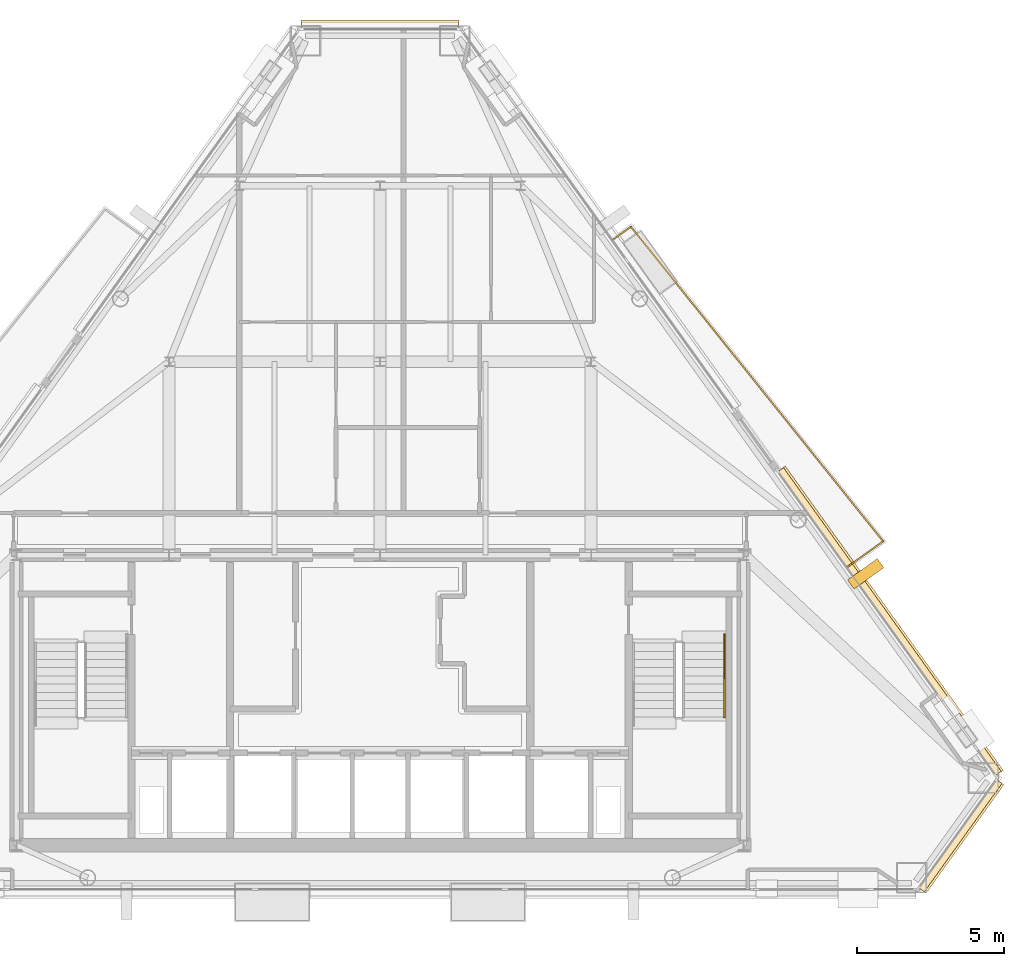
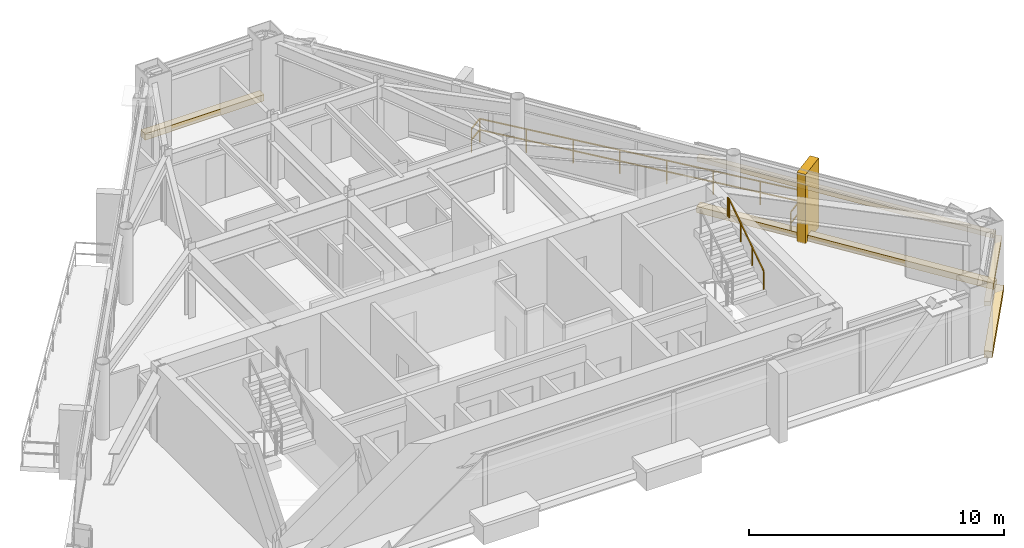
# One storey, part 11 of 11: 6 coverings, 2 railings.
"""IFC4 building model written with IfcOpenShell, lengths in metres."""

from ifc_helpers import new_model, si_unit, direction, frame, origin, origin_2d, place, context, subcontext, project, spatial, rectangle, extrude, material, layer, layer_set, type_object, element, save


model = new_model("IFC4")

# Units and contexts
model_context = context("Model", 3, precision=1e-05, world=origin(), true_north=direction((0.0, 1.0)))
body_context = subcontext(model_context, "Body", "Model", "MODEL_VIEW")
ifc_project = project(units=[si_unit("LENGTHUNIT", "METRE"), si_unit("AREAUNIT", "SQUARE_METRE"), si_unit("VOLUMEUNIT", "CUBIC_METRE"), si_unit("PLANEANGLEUNIT", "RADIAN"), si_unit("MASSUNIT", "GRAM", prefix="KILO")], contexts=[model_context])

# Site, building, storey
site_placement = place(None, origin())
site = spatial("IfcSite", under=ifc_project, at=site_placement, CompositionType="ELEMENT")
building_placement = place(site_placement, origin())
building = spatial("IfcBuilding", under=site, at=building_placement, Name="Talgorran Terracotta Tower", CompositionType="ELEMENT")
storey_placement = place(building_placement, frame((0.0, 0.0, 240.60009765625)))
storey = spatial("IfcBuildingStorey", under=building, at=storey_placement, Name="L63", CompositionType="ELEMENT", Elevation=240.60009765625)

# Coverings
ifc_material_1 = material(Name="Kiln-Fired Terracotta Ochre Ceramic", Category="masonry")
ifc_layer_1 = layer(ifc_material_1, 0.179931640625, Name="COV_BAGUETTE_TERRACOTTA_SCREEN")
ifc_layer_set_1 = layer_set([ifc_layer_1], Name="Kiln-Fired Terracotta Ochre Ceramic")
covering_type_1 = type_object("IfcCoveringType", Name="COV_BAGUETTE_TERRACOTTA_SCREEN", PredefinedType="CLADDING", material=ifc_layer_set_1)
covering_1_placement = place(storey_placement, frame((19.7880859375, -13.76318359375, 2.41015625), z_axis=(0.0, 0.0, 1.0), x_axis=(0.582662110936, 0.812714503673, 0.0)))
element("IfcCovering", 1, at=covering_1_placement, inside=storey, type_object=covering_type_1, Name="L63 Terracotta Baguette Solar Screen Assembly F2", PredefinedType="CLADDING", context=body_context, shape_type="SweptSolid", body=[
    extrude(rectangle(XDim=4.542724609375, YDim=0.260009765625, at=origin_2d()), origin(), (0.0, 0.0, 1.0), 0.219970703125),
])
covering_2_placement = place(storey_placement, frame((17.374267578125, -6.473876953125, 2.41015625), z_axis=(0.0, 0.0, 1.0), x_axis=(-0.582662110936, 0.812714503673, 0.0)))
element("IfcCovering", 2, at=covering_2_placement, inside=storey, type_object=covering_type_1, Name="L63 Terracotta Baguette Solar Screen Assembly F40", PredefinedType="CLADDING", context=body_context, shape_type="SweptSolid", body=[
    extrude(rectangle(XDim=12.74853515625, YDim=0.260009765625, at=origin_2d()), origin(), (0.0, 0.0, 1.0), 0.219970703125),
])
ifc_material_2 = material(Name="Honed Limestone Cladding", Category="masonry")
ifc_layer_2 = layer(ifc_material_2, 0.094970703125, Name="COV_PORTAL_LIME")
ifc_layer_set_2 = layer_set([ifc_layer_2], Name="Honed Limestone Cladding")
covering_type_2 = type_object("IfcCoveringType", Name="COV_PORTAL_LIME", PredefinedType="CLADDING", material=ifc_layer_set_2)
covering_3_placement = place(storey_placement, frame((16.569091796875, -4.836181640625, -0.050048828125), z_axis=(0.0, 0.0, 1.0), x_axis=(-0.582662110936, 0.812714503673, 0.0)))
element("IfcCovering", 3, at=covering_3_placement, inside=storey, type_object=covering_type_2, Name="L63 White Striped Portal Fin F3-1", PredefinedType="CLADDING", context=body_context, shape_type="SweptSolid", body=[
    extrude(rectangle(XDim=0.3798828125, YDim=1.25, at=origin_2d()), origin(), (0.0, 0.0, 1.0), 3.330078125),
])
ifc_material_3 = material(Name="Kiln-Fired Terracotta Cladding", Category="masonry")
ifc_layer_3 = layer(ifc_material_3, 0.090087890625, Name="COV_PORTAL_TERRA")
ifc_layer_set_3 = layer_set([ifc_layer_3], Name="Kiln-Fired Terracotta Cladding")
covering_type_3 = type_object("IfcCoveringType", Name="COV_PORTAL_TERRA", PredefinedType="CLADDING", material=ifc_layer_set_3)
covering_4_placement = place(storey_placement, frame((19.820556640625, -13.78662109375, -0.0400390625), z_axis=(0.0, 0.0, 1.0), x_axis=(0.582662110936, 0.812714503673, 0.0)))
element("IfcCovering", 4, at=covering_4_placement, inside=storey, type_object=covering_type_3, Name="L63 Striped Postmodern Portal Cladding Band F2", PredefinedType="CLADDING", context=body_context, shape_type="SweptSolid", body=[
    extrude(rectangle(XDim=4.562744140625, YDim=0.340087890625, at=origin_2d()), origin(), (0.0, 0.0, 1.0), 0.300048828125),
])
covering_5_placement = place(storey_placement, frame((17.40673828125, -6.45068359375, -0.0400390625), z_axis=(0.0, 0.0, 1.0), x_axis=(-0.582662110936, 0.812714503673, 0.0)))
element("IfcCovering", 5, at=covering_5_placement, inside=storey, type_object=covering_type_3, Name="L63 Striped Postmodern Portal Cladding Band F40", PredefinedType="CLADDING", context=body_context, shape_type="SweptSolid", body=[
    extrude(rectangle(XDim=12.7685546875, YDim=0.340087890625, at=origin_2d()), origin(), (0.0, 0.0, 1.0), 0.300048828125),
])
covering_6_placement = place(storey_placement, frame((0.0, 13.888671875, -0.0400390625), z_axis=(0.0, 0.0, 1.0), x_axis=(-1.0, 0.0, 0.0)))
element("IfcCovering", 6, at=covering_6_placement, inside=storey, type_object=covering_type_3, Name="L63 Striped Postmodern Portal Cladding Band F4", PredefinedType="CLADDING", context=body_context, shape_type="SweptSolid", body=[
    extrude(rectangle(XDim=5.3857421875, YDim=0.340087890625, at=origin_2d()), origin(), (0.0, 0.0, 1.0), 0.300048828125),
])

# Railings
ifc_material_4 = material(Name="Laminated Glass and Stainless Steel 316", Category="steel")
railing_type_1 = type_object("IfcRailingType", Name="RL_BALCONY_1150", PredefinedType="BALUSTRADE", material=ifc_material_4)
railing_1_placement = place(storey_placement, frame((15.937744140625, -4.607421875, 0.0)))
element("IfcRailing", 7, at=railing_1_placement, inside=storey, type_object=railing_type_1, Name="RL-L63-BAL-BAL-NE", PredefinedType="BALUSTRADE", context=body_context, shape_type="SweptSolid", body=[
    extrude(rectangle(XDim=0.048095703125, YDim=0.048095703125, at=origin_2d()), frame((0.0, 0.0, 1.1259765625), z_axis=(0.812704776836, 0.582675677978, 0.0), x_axis=(-0.582675677978, 0.812704776836, 0.0)), (0.0, 0.0, 1.0), 1.50927734375),
    extrude(rectangle(XDim=0.048095703125, YDim=0.048095703125, at=origin_2d()), frame((0.0, 0.0, 0.597900390625), z_axis=(0.812704776836, 0.582675677978, 0.0), x_axis=(-0.582675677978, 0.812704776836, 0.0)), (0.0, 0.0, 1.0), 1.50927734375),
    extrude(rectangle(XDim=0.048095703125, YDim=0.048095703125, at=origin_2d()), frame((1.2265625, 0.87939453125, 1.1259765625), z_axis=(-0.625568952891, 0.780168882472, 0.0), x_axis=(-0.780168882472, -0.625568952891, 0.0)), (0.0, 0.0, 1.0), 13.7578125),
    extrude(rectangle(XDim=0.048095703125, YDim=0.048095703125, at=origin_2d()), frame((1.2265625, 0.87939453125, 0.597900390625), z_axis=(-0.625568952891, 0.780168882472, 0.0), x_axis=(-0.780168882472, -0.625568952891, 0.0)), (0.0, 0.0, 1.0), 13.7578125),
    extrude(rectangle(XDim=0.048095703125, YDim=0.048095703125, at=origin_2d()), frame((-7.3798828125, 11.61279296875, 1.1259765625), z_axis=(-0.812809607963, -0.582529433765, 0.0), x_axis=(0.582529433765, -0.812809607963, 0.0)), (0.0, 0.0, 1.0), 0.7685546875),
    extrude(rectangle(XDim=0.048095703125, YDim=0.048095703125, at=origin_2d()), frame((-7.3798828125, 11.61279296875, 0.597900390625), z_axis=(-0.812809607963, -0.582529433765, 0.0), x_axis=(0.582529433765, -0.812809607963, 0.0)), (0.0, 0.0, 1.0), 0.7685546875),
    extrude(rectangle(XDim=0.0419921875, YDim=0.0419921875, at=origin_2d()), origin(), (0.0, 0.0, 1.0), 1.101806640625),
    extrude(rectangle(XDim=0.0419921875, YDim=0.0419921875, at=origin_2d()), frame((1.2265625, 0.87939453125, 0.0)), (0.0, 0.0, 1.0), 1.101806640625),
    extrude(rectangle(XDim=0.0419921875, YDim=0.0419921875, at=origin_2d()), frame((-0.0029296875, 2.412841796875, 0.0)), (0.0, 0.0, 1.0), 1.101806640625),
    extrude(rectangle(XDim=0.0419921875, YDim=0.0419921875, at=origin_2d()), frame((-1.232421875, 3.946044921875, 0.0)), (0.0, 0.0, 1.0), 1.101806640625),
    extrude(rectangle(XDim=0.0419921875, YDim=0.0419921875, at=origin_2d()), frame((-2.4619140625, 5.4794921875, 0.0)), (0.0, 0.0, 1.0), 1.101806640625),
    extrude(rectangle(XDim=0.0419921875, YDim=0.0419921875, at=origin_2d()), frame((-3.69140625, 7.0126953125, 0.0)), (0.0, 0.0, 1.0), 1.101806640625),
    extrude(rectangle(XDim=0.0419921875, YDim=0.0419921875, at=origin_2d()), frame((-4.9208984375, 8.546142578125, 0.0)), (0.0, 0.0, 1.0), 1.101806640625),
    extrude(rectangle(XDim=0.0419921875, YDim=0.0419921875, at=origin_2d()), frame((-6.150390625, 10.079345703125, 0.0)), (0.0, 0.0, 1.0), 1.101806640625),
    extrude(rectangle(XDim=0.0419921875, YDim=0.0419921875, at=origin_2d()), frame((-7.3798828125, 11.61279296875, 0.0)), (0.0, 0.0, 1.0), 1.101806640625),
    extrude(rectangle(XDim=0.0419921875, YDim=0.0419921875, at=origin_2d()), frame((-8.004638671875, 11.1650390625, 0.0)), (0.0, 0.0, 1.0), 1.101806640625),
])
ifc_material_5 = material(Name="Steel S355 (300PLUS)", Category="steel")
railing_type_2 = type_object("IfcRailingType", Name="RL_HANDRAIL_920", PredefinedType="HANDRAIL", material=ifc_material_5)
railing_2_placement = place(storey_placement, frame((11.75, -9.719970703125, 1.97998046875)))
element("IfcRailing", 8, at=railing_2_placement, inside=storey, type_object=railing_type_2, Name="L63 ST-02 stair handrail 2", PredefinedType="HANDRAIL", context=body_context, shape_type="SweptSolid", body=[
    extrude(rectangle(XDim=0.048095703125, YDim=0.048095703125, at=origin_2d()), frame((0.0, 0.0, 0.89599609375), z_axis=(0.0, 0.832073444223, 0.554665469827), x_axis=(-1.0, 0.0, 0.0)), (0.0, 0.0, 1.0), 3.244873046875),
    extrude(rectangle(XDim=0.048095703125, YDim=0.048095703125, at=origin_2d()), frame((0.0, 2.699951171875, 2.69580078125), z_axis=(0.0, 1.0, 0.0), x_axis=(-1.0, 0.0, 0.0)), (0.0, 0.0, 1.0), 0.1201171875),
    extrude(rectangle(XDim=0.0419921875, YDim=0.0419921875, at=origin_2d()), origin(), (0.0, 0.0, 1.0), 0.871826171875),
    extrude(rectangle(XDim=0.0419921875, YDim=0.0419921875, at=origin_2d()), frame((0.0, 0.89990234375, 0.599853515625)), (0.0, 0.0, 1.0), 0.871826171875),
    extrude(rectangle(XDim=0.0419921875, YDim=0.0419921875, at=origin_2d()), frame((0.0, 1.800048828125, 1.199951171875)), (0.0, 0.0, 1.0), 0.871826171875),
    extrude(rectangle(XDim=0.0419921875, YDim=0.0419921875, at=origin_2d()), frame((0.0, 2.699951171875, 1.7998046875)), (0.0, 0.0, 1.0), 0.871826171875),
    extrude(rectangle(XDim=0.0419921875, YDim=0.0419921875, at=origin_2d()), frame((0.0, 2.820068359375, 1.7998046875)), (0.0, 0.0, 1.0), 0.871826171875),
])

save(model, "model.ifc")
